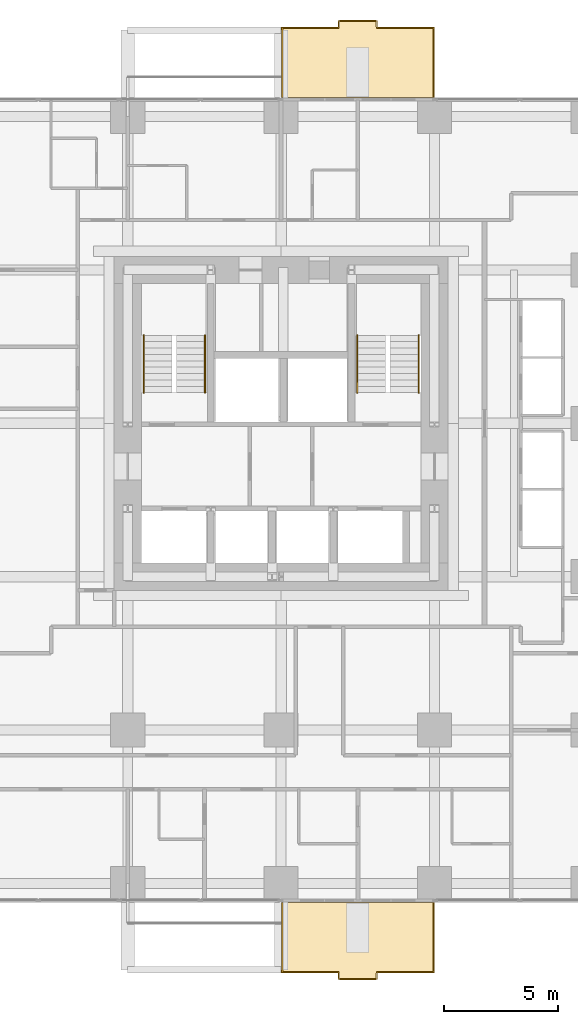
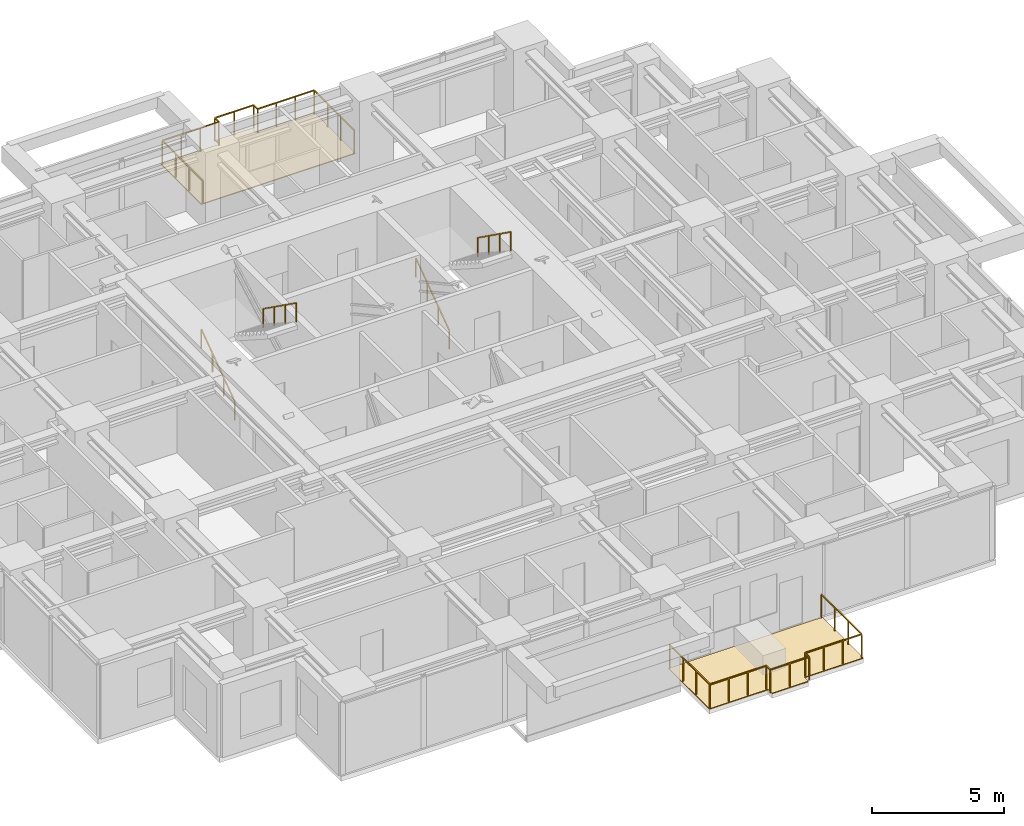
# One storey, part 12 of 12: 6 railings, 2 coverings.
"""IFC4 building model written with IfcOpenShell, lengths in metres."""

from ifc_helpers import new_model, si_unit, direction, frame, origin, origin_2d, place, context, subcontext, project, spatial, polyline, rectangle, outline, extrude, material, layer, layer_set, type_object, element, save


model = new_model("IFC4")

# Units and contexts
model_context = context("Model", 3, precision=1e-05, world=origin(), true_north=direction((0.0, 1.0)))
body_context = subcontext(model_context, "Body", "Model", "MODEL_VIEW")
ifc_project = project(units=[si_unit("LENGTHUNIT", "METRE"), si_unit("AREAUNIT", "SQUARE_METRE"), si_unit("VOLUMEUNIT", "CUBIC_METRE"), si_unit("PLANEANGLEUNIT", "RADIAN"), si_unit("MASSUNIT", "GRAM", prefix="KILO")], contexts=[model_context])

# Site, building, storey
site_placement = place(None, origin())
site = spatial("IfcSite", under=ifc_project, at=site_placement, CompositionType="ELEMENT")
building_placement = place(site_placement, origin())
building = spatial("IfcBuilding", under=site, at=building_placement, Name="Nyansa Garden Tower", CompositionType="ELEMENT")
storey_placement = place(building_placement, frame((0.0, 0.0, 126.89990234375)))
storey = spatial("IfcBuildingStorey", under=building, at=storey_placement, Name="L34", CompositionType="ELEMENT", Elevation=126.89990234375)

# Coverings
ifc_material_1 = material(Name="Hardwood decking on pedestals", Category="wood")
ifc_layer = layer(ifc_material_1, 0.0400390625)
ifc_layer_set = layer_set([ifc_layer], Name="Balcony decking DK40")
covering_type = type_object("IfcCoveringType", Name="Balcony decking DK40", PredefinedType="FLOORING", material=ifc_layer_set)
covering_1_placement = place(storey_placement, frame((0.0, 0.0, -0.039794921875)))
element("IfcCovering", 1, at=covering_1_placement, inside=storey, type_object=covering_type, Name="Balcony decking L34", PredefinedType="FLOORING", context=body_context, shape_type="SweptSolid", body=[
    extrude(outline(polyline([(20.25, -0.85009765625), (27.0, -0.85009765625), (27.0, -3.949951171875), (24.425048828125, -3.949951171875), (24.425048828125, -4.25), (22.824951171875, -4.25), (22.824951171875, -3.949951171875), (20.25, -3.949951171875), (20.25, -0.85009765625)])), origin(), (0.0, 0.0, 1.0), 0.039794921875),
])
covering_2_placement = place(storey_placement, frame((0.0, 0.0, -0.039794921875)))
element("IfcCovering", 2, at=covering_2_placement, inside=storey, type_object=covering_type, Name="Balcony decking L34", PredefinedType="FLOORING", context=body_context, shape_type="SweptSolid", body=[
    extrude(outline(polyline([(20.25, 34.60009765625), (27.0, 34.60009765625), (27.0, 37.699951171875), (24.425048828125, 37.699951171875), (24.425048828125, 38.0), (22.824951171875, 38.0), (22.824951171875, 37.699951171875), (20.25, 37.699951171875), (20.25, 34.60009765625)])), origin(), (0.0, 0.0, 1.0), 0.039794921875),
])

# Railings
ifc_material_2 = material(Name="Black powder-coated steel balusters, laminated glass infill", Category="steel")
railing_type_1 = type_object("IfcRailingType", Name="Balcony guard G1", PredefinedType="GUARDRAIL", material=ifc_material_2)
railing_1_placement = place(storey_placement, frame((20.300048828125, -0.85009765625, 0.0)))
element("IfcRailing", 3, at=railing_1_placement, inside=storey, type_object=railing_type_1, Name="Balcony guard L34", PredefinedType="GUARDRAIL", context=body_context, shape_type="SweptSolid", body=[
    extrude(rectangle(XDim=0.048095703125, YDim=0.048095703125, at=origin_2d()), frame((0.0, 0.0, 1.076171875), z_axis=(0.0, -1.0, 0.0), x_axis=(1.0, 0.0, 0.0)), (0.0, 0.0, 1.0), 3.0498046875),
    extrude(rectangle(XDim=0.048095703125, YDim=0.048095703125, at=origin_2d()), frame((0.0, -3.0498046875, 1.076171875), z_axis=(1.0, 0.0, 0.0), x_axis=(0.0, 1.0, 0.0)), (0.0, 0.0, 1.0), 2.474853515625),
    extrude(rectangle(XDim=0.048095703125, YDim=0.048095703125, at=origin_2d()), frame((2.474853515625, -3.0498046875, 1.076171875), z_axis=(0.0, -1.0, 0.0), x_axis=(1.0, 0.0, 0.0)), (0.0, 0.0, 1.0), 0.300048828125),
    extrude(rectangle(XDim=0.048095703125, YDim=0.048095703125, at=origin_2d()), frame((2.474853515625, -3.349853515625, 1.076171875), z_axis=(1.0, 0.0, 0.0), x_axis=(0.0, 1.0, 0.0)), (0.0, 0.0, 1.0), 1.7001953125),
    extrude(rectangle(XDim=0.048095703125, YDim=0.048095703125, at=origin_2d()), frame((4.175048828125, -3.349853515625, 1.076171875), z_axis=(0.0, 1.0, 0.0), x_axis=(-1.0, 0.0, 0.0)), (0.0, 0.0, 1.0), 0.300048828125),
    extrude(rectangle(XDim=0.048095703125, YDim=0.048095703125, at=origin_2d()), frame((4.175048828125, -3.0498046875, 1.076171875), z_axis=(1.0, 0.0, 0.0), x_axis=(0.0, 1.0, 0.0)), (0.0, 0.0, 1.0), 2.474853515625),
    extrude(rectangle(XDim=0.048095703125, YDim=0.048095703125, at=origin_2d()), frame((6.64990234375, -3.0498046875, 1.076171875), z_axis=(0.0, 1.0, 0.0), x_axis=(-1.0, 0.0, 0.0)), (0.0, 0.0, 1.0), 3.0498046875),
    extrude(rectangle(XDim=0.0419921875, YDim=0.0419921875, at=origin_2d()), origin(), (0.0, 0.0, 1.0), 1.052001953125),
    extrude(rectangle(XDim=0.0419921875, YDim=0.0419921875, at=origin_2d()), frame((0.0, -1.0166015625, 0.0)), (0.0, 0.0, 1.0), 1.052001953125),
    extrude(rectangle(XDim=0.0419921875, YDim=0.0419921875, at=origin_2d()), frame((0.0, -2.033203125, 0.0)), (0.0, 0.0, 1.0), 1.052001953125),
    extrude(rectangle(XDim=0.0419921875, YDim=0.0419921875, at=origin_2d()), frame((0.0, -3.0498046875, 0.0)), (0.0, 0.0, 1.0), 1.052001953125),
    extrude(rectangle(XDim=0.0419921875, YDim=0.0419921875, at=origin_2d()), frame((0.824951171875, -3.0498046875, 0.0)), (0.0, 0.0, 1.0), 1.052001953125),
    extrude(rectangle(XDim=0.0419921875, YDim=0.0419921875, at=origin_2d()), frame((1.64990234375, -3.0498046875, 0.0)), (0.0, 0.0, 1.0), 1.052001953125),
    extrude(rectangle(XDim=0.0419921875, YDim=0.0419921875, at=origin_2d()), frame((2.474853515625, -3.0498046875, 0.0)), (0.0, 0.0, 1.0), 1.052001953125),
    extrude(rectangle(XDim=0.0419921875, YDim=0.0419921875, at=origin_2d()), frame((2.474853515625, -3.349853515625, 0.0)), (0.0, 0.0, 1.0), 1.052001953125),
    extrude(rectangle(XDim=0.0419921875, YDim=0.0419921875, at=origin_2d()), frame((3.324951171875, -3.349853515625, 0.0)), (0.0, 0.0, 1.0), 1.052001953125),
    extrude(rectangle(XDim=0.0419921875, YDim=0.0419921875, at=origin_2d()), frame((4.175048828125, -3.349853515625, 0.0)), (0.0, 0.0, 1.0), 1.052001953125),
    extrude(rectangle(XDim=0.0419921875, YDim=0.0419921875, at=origin_2d()), frame((4.175048828125, -3.0498046875, 0.0)), (0.0, 0.0, 1.0), 1.052001953125),
    extrude(rectangle(XDim=0.0419921875, YDim=0.0419921875, at=origin_2d()), frame((5.0, -3.0498046875, 0.0)), (0.0, 0.0, 1.0), 1.052001953125),
    extrude(rectangle(XDim=0.0419921875, YDim=0.0419921875, at=origin_2d()), frame((5.824951171875, -3.0498046875, 0.0)), (0.0, 0.0, 1.0), 1.052001953125),
    extrude(rectangle(XDim=0.0419921875, YDim=0.0419921875, at=origin_2d()), frame((6.64990234375, -3.0498046875, 0.0)), (0.0, 0.0, 1.0), 1.052001953125),
    extrude(rectangle(XDim=0.0419921875, YDim=0.0419921875, at=origin_2d()), frame((6.64990234375, -2.033203125, 0.0)), (0.0, 0.0, 1.0), 1.052001953125),
    extrude(rectangle(XDim=0.0419921875, YDim=0.0419921875, at=origin_2d()), frame((6.64990234375, -1.0166015625, 0.0)), (0.0, 0.0, 1.0), 1.052001953125),
    extrude(rectangle(XDim=0.0419921875, YDim=0.0419921875, at=origin_2d()), frame((6.64990234375, 0.0, 0.0)), (0.0, 0.0, 1.0), 1.052001953125),
])
railing_2_placement = place(storey_placement, frame((20.300048828125, 34.60009765625, 0.0)))
element("IfcRailing", 4, at=railing_2_placement, inside=storey, type_object=railing_type_1, Name="Balcony guard L34", PredefinedType="GUARDRAIL", context=body_context, shape_type="SweptSolid", body=[
    extrude(rectangle(XDim=0.048095703125, YDim=0.048095703125, at=origin_2d()), frame((0.0, 0.0, 1.076171875), z_axis=(0.0, 1.0, 0.0), x_axis=(-1.0, 0.0, 0.0)), (0.0, 0.0, 1.0), 3.0498046875),
    extrude(rectangle(XDim=0.048095703125, YDim=0.048095703125, at=origin_2d()), frame((0.0, 3.0498046875, 1.076171875), z_axis=(1.0, 0.0, 0.0), x_axis=(0.0, 1.0, 0.0)), (0.0, 0.0, 1.0), 2.474853515625),
    extrude(rectangle(XDim=0.048095703125, YDim=0.048095703125, at=origin_2d()), frame((2.474853515625, 3.0498046875, 1.076171875), z_axis=(0.0, 1.0, 0.0), x_axis=(-1.0, 0.0, 0.0)), (0.0, 0.0, 1.0), 0.300048828125),
    extrude(rectangle(XDim=0.048095703125, YDim=0.048095703125, at=origin_2d()), frame((2.474853515625, 3.349853515625, 1.076171875), z_axis=(1.0, 0.0, 0.0), x_axis=(0.0, 1.0, 0.0)), (0.0, 0.0, 1.0), 1.7001953125),
    extrude(rectangle(XDim=0.048095703125, YDim=0.048095703125, at=origin_2d()), frame((4.175048828125, 3.349853515625, 1.076171875), z_axis=(0.0, -1.0, 0.0), x_axis=(1.0, 0.0, 0.0)), (0.0, 0.0, 1.0), 0.300048828125),
    extrude(rectangle(XDim=0.048095703125, YDim=0.048095703125, at=origin_2d()), frame((4.175048828125, 3.0498046875, 1.076171875), z_axis=(1.0, 0.0, 0.0), x_axis=(0.0, 1.0, 0.0)), (0.0, 0.0, 1.0), 2.474853515625),
    extrude(rectangle(XDim=0.048095703125, YDim=0.048095703125, at=origin_2d()), frame((6.64990234375, 3.0498046875, 1.076171875), z_axis=(0.0, -1.0, 0.0), x_axis=(1.0, 0.0, 0.0)), (0.0, 0.0, 1.0), 3.0498046875),
    extrude(rectangle(XDim=0.0419921875, YDim=0.0419921875, at=origin_2d()), origin(), (0.0, 0.0, 1.0), 1.052001953125),
    extrude(rectangle(XDim=0.0419921875, YDim=0.0419921875, at=origin_2d()), frame((0.0, 1.0166015625, 0.0)), (0.0, 0.0, 1.0), 1.052001953125),
    extrude(rectangle(XDim=0.0419921875, YDim=0.0419921875, at=origin_2d()), frame((0.0, 2.033203125, 0.0)), (0.0, 0.0, 1.0), 1.052001953125),
    extrude(rectangle(XDim=0.0419921875, YDim=0.0419921875, at=origin_2d()), frame((0.0, 3.0498046875, 0.0)), (0.0, 0.0, 1.0), 1.052001953125),
    extrude(rectangle(XDim=0.0419921875, YDim=0.0419921875, at=origin_2d()), frame((0.824951171875, 3.0498046875, 0.0)), (0.0, 0.0, 1.0), 1.052001953125),
    extrude(rectangle(XDim=0.0419921875, YDim=0.0419921875, at=origin_2d()), frame((1.64990234375, 3.0498046875, 0.0)), (0.0, 0.0, 1.0), 1.052001953125),
    extrude(rectangle(XDim=0.0419921875, YDim=0.0419921875, at=origin_2d()), frame((2.474853515625, 3.0498046875, 0.0)), (0.0, 0.0, 1.0), 1.052001953125),
    extrude(rectangle(XDim=0.0419921875, YDim=0.0419921875, at=origin_2d()), frame((2.474853515625, 3.349853515625, 0.0)), (0.0, 0.0, 1.0), 1.052001953125),
    extrude(rectangle(XDim=0.0419921875, YDim=0.0419921875, at=origin_2d()), frame((3.324951171875, 3.349853515625, 0.0)), (0.0, 0.0, 1.0), 1.052001953125),
    extrude(rectangle(XDim=0.0419921875, YDim=0.0419921875, at=origin_2d()), frame((4.175048828125, 3.349853515625, 0.0)), (0.0, 0.0, 1.0), 1.052001953125),
    extrude(rectangle(XDim=0.0419921875, YDim=0.0419921875, at=origin_2d()), frame((4.175048828125, 3.0498046875, 0.0)), (0.0, 0.0, 1.0), 1.052001953125),
    extrude(rectangle(XDim=0.0419921875, YDim=0.0419921875, at=origin_2d()), frame((5.0, 3.0498046875, 0.0)), (0.0, 0.0, 1.0), 1.052001953125),
    extrude(rectangle(XDim=0.0419921875, YDim=0.0419921875, at=origin_2d()), frame((5.824951171875, 3.0498046875, 0.0)), (0.0, 0.0, 1.0), 1.052001953125),
    extrude(rectangle(XDim=0.0419921875, YDim=0.0419921875, at=origin_2d()), frame((6.64990234375, 3.0498046875, 0.0)), (0.0, 0.0, 1.0), 1.052001953125),
    extrude(rectangle(XDim=0.0419921875, YDim=0.0419921875, at=origin_2d()), frame((6.64990234375, 2.033203125, 0.0)), (0.0, 0.0, 1.0), 1.052001953125),
    extrude(rectangle(XDim=0.0419921875, YDim=0.0419921875, at=origin_2d()), frame((6.64990234375, 1.0166015625, 0.0)), (0.0, 0.0, 1.0), 1.052001953125),
    extrude(rectangle(XDim=0.0419921875, YDim=0.0419921875, at=origin_2d()), frame((6.64990234375, 0.0, 0.0)), (0.0, 0.0, 1.0), 1.052001953125),
])
ifc_material_3 = material(Name="Black powder-coated steel tube 48 mm", Category="steel")
railing_type_2 = type_object("IfcRailingType", Name="Stair handrail HR1", PredefinedType="HANDRAIL", material=ifc_material_3)
railing_3_placement = place(storey_placement, frame((14.199951171875, 21.60009765625, 0.0)))
element("IfcRailing", 5, at=railing_3_placement, inside=storey, type_object=railing_type_2, Name="Stair S1 handrail L34", PredefinedType="HANDRAIL", context=body_context, shape_type="SweptSolid", body=[
    extrude(rectangle(XDim=0.048095703125, YDim=0.048095703125, at=origin_2d()), frame((0.0, 0.0, 0.8759765625), z_axis=(0.0, 0.813728144527, 0.581245650998), x_axis=(-1.0, 0.0, 0.0)), (0.0, 0.0, 1.0), 3.096923828125),
    extrude(rectangle(XDim=0.0419921875, YDim=0.0419921875, at=origin_2d()), origin(), (0.0, 0.0, 1.0), 0.851806640625),
    extrude(rectangle(XDim=0.0419921875, YDim=0.0419921875, at=origin_2d()), frame((0.0, 0.840087890625, 0.60009765625)), (0.0, 0.0, 1.0), 0.851806640625),
    extrude(rectangle(XDim=0.0419921875, YDim=0.0419921875, at=origin_2d()), frame((0.0, 1.679931640625, 1.199951171875)), (0.0, 0.0, 1.0), 0.851806640625),
    extrude(rectangle(XDim=0.0419921875, YDim=0.0419921875, at=origin_2d()), frame((0.0, 2.52001953125, 1.800048828125)), (0.0, 0.0, 1.0), 0.851806640625),
])
railing_4_placement = place(storey_placement, frame((16.89990234375, 24.1201171875, 1.800048828125)))
element("IfcRailing", 6, at=railing_4_placement, inside=storey, type_object=railing_type_2, Name="Stair S1 handrail L34", PredefinedType="HANDRAIL", context=body_context, shape_type="SweptSolid", body=[
    extrude(rectangle(XDim=0.048095703125, YDim=0.048095703125, at=origin_2d()), frame((0.0, 0.0, 0.8759765625), z_axis=(0.0, -0.813728144527, 0.581245650998), x_axis=(1.0, 0.0, 0.0)), (0.0, 0.0, 1.0), 3.096923828125),
    extrude(rectangle(XDim=0.0419921875, YDim=0.0419921875, at=origin_2d()), origin(), (0.0, 0.0, 1.0), 0.851806640625),
    extrude(rectangle(XDim=0.0419921875, YDim=0.0419921875, at=origin_2d()), frame((0.0, -0.840087890625, 0.60009765625)), (0.0, 0.0, 1.0), 0.851806640625),
    extrude(rectangle(XDim=0.0419921875, YDim=0.0419921875, at=origin_2d()), frame((0.0, -1.679931640625, 1.199951171875)), (0.0, 0.0, 1.0), 0.851806640625),
    extrude(rectangle(XDim=0.0419921875, YDim=0.0419921875, at=origin_2d()), frame((0.0, -2.52001953125, 1.800048828125)), (0.0, 0.0, 1.0), 0.851806640625),
])
railing_5_placement = place(storey_placement, frame((23.60009765625, 21.60009765625, 0.0)))
element("IfcRailing", 7, at=railing_5_placement, inside=storey, type_object=railing_type_2, Name="Stair S2 handrail L34", PredefinedType="HANDRAIL", context=body_context, shape_type="SweptSolid", body=[
    extrude(rectangle(XDim=0.048095703125, YDim=0.048095703125, at=origin_2d()), frame((0.0, 0.0, 0.8759765625), z_axis=(0.0, 0.813728144527, 0.581245650998), x_axis=(-1.0, 0.0, 0.0)), (0.0, 0.0, 1.0), 3.096923828125),
    extrude(rectangle(XDim=0.0419921875, YDim=0.0419921875, at=origin_2d()), origin(), (0.0, 0.0, 1.0), 0.851806640625),
    extrude(rectangle(XDim=0.0419921875, YDim=0.0419921875, at=origin_2d()), frame((0.0, 0.840087890625, 0.60009765625)), (0.0, 0.0, 1.0), 0.851806640625),
    extrude(rectangle(XDim=0.0419921875, YDim=0.0419921875, at=origin_2d()), frame((0.0, 1.679931640625, 1.199951171875)), (0.0, 0.0, 1.0), 0.851806640625),
    extrude(rectangle(XDim=0.0419921875, YDim=0.0419921875, at=origin_2d()), frame((0.0, 2.52001953125, 1.800048828125)), (0.0, 0.0, 1.0), 0.851806640625),
])
railing_6_placement = place(storey_placement, frame((26.300048828125, 24.1201171875, 1.800048828125)))
element("IfcRailing", 8, at=railing_6_placement, inside=storey, type_object=railing_type_2, Name="Stair S2 handrail L34", PredefinedType="HANDRAIL", context=body_context, shape_type="SweptSolid", body=[
    extrude(rectangle(XDim=0.048095703125, YDim=0.048095703125, at=origin_2d()), frame((0.0, 0.0, 0.8759765625), z_axis=(0.0, -0.813728144527, 0.581245650998), x_axis=(1.0, 0.0, 0.0)), (0.0, 0.0, 1.0), 3.096923828125),
    extrude(rectangle(XDim=0.0419921875, YDim=0.0419921875, at=origin_2d()), origin(), (0.0, 0.0, 1.0), 0.851806640625),
    extrude(rectangle(XDim=0.0419921875, YDim=0.0419921875, at=origin_2d()), frame((0.0, -0.840087890625, 0.60009765625)), (0.0, 0.0, 1.0), 0.851806640625),
    extrude(rectangle(XDim=0.0419921875, YDim=0.0419921875, at=origin_2d()), frame((0.0, -1.679931640625, 1.199951171875)), (0.0, 0.0, 1.0), 0.851806640625),
    extrude(rectangle(XDim=0.0419921875, YDim=0.0419921875, at=origin_2d()), frame((0.0, -2.52001953125, 1.800048828125)), (0.0, 0.0, 1.0), 0.851806640625),
])

save(model, "model.ifc")
